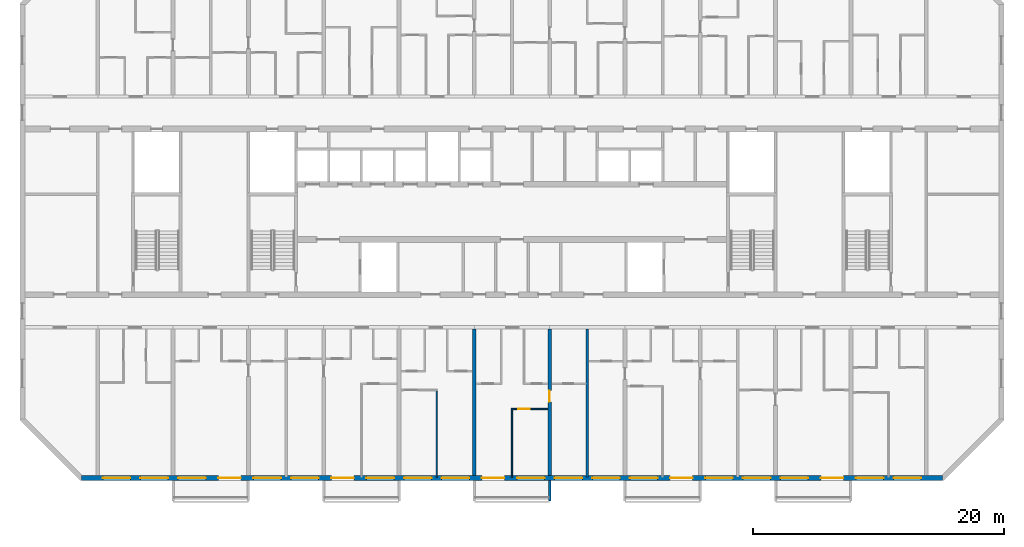
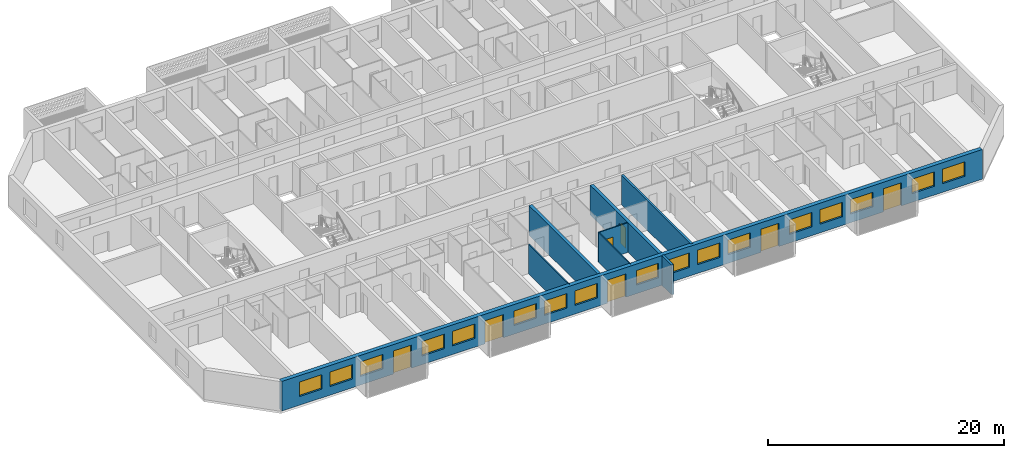
# One storey, part 4 of 33: 17 windows, 8 walls, 7 doors, 24 openings.
"""IFC4 building model written with IfcOpenShell, lengths in metres."""

from ifc_helpers import new_model, si_unit, direction, frame, frame_2d, origin, place, context, subcontext, project, spatial, polyline, rectangle, outline, extrude, source, transform, mapped, material, layer, layer_set, type_object, element, fill, save


model = new_model("IFC4")

# Units and contexts
model_context = context("Model", 3, precision=1e-05, world=origin(), true_north=direction((0.0, 1.0)))
body_context = subcontext(model_context, "Body", "Model", "MODEL_VIEW")
ifc_project = project(units=[si_unit("LENGTHUNIT", "METRE"), si_unit("AREAUNIT", "SQUARE_METRE"), si_unit("VOLUMEUNIT", "CUBIC_METRE"), si_unit("PLANEANGLEUNIT", "RADIAN"), si_unit("MASSUNIT", "GRAM", prefix="KILO")], contexts=[model_context])

# Site, building, storey
site_placement = place(None, origin())
site = spatial("IfcSite", under=ifc_project, at=site_placement, CompositionType="ELEMENT")
building_placement = place(site_placement, origin())
building = spatial("IfcBuilding", under=site, at=building_placement, Name="Poui Terraces", CompositionType="ELEMENT")
storey_placement = place(building_placement, frame((0.0, 0.0, 138.89990234375)))
storey = spatial("IfcBuildingStorey", under=building, at=storey_placement, Name="L38", CompositionType="ELEMENT", Elevation=138.89990234375)

# Wall
ifc_material_1 = material(Name="Concrete 65 MPa", Category="concrete")
ifc_layer_1 = layer(ifc_material_1, 0.300048828125)
ifc_layer_set_1 = layer_set([ifc_layer_1], Name="Concrete 65 MPa")
wall_type_1 = type_object("IfcWallType", Name="CROSS WALL 300 65MPa", PredefinedType="SHEAR", material=ifc_layer_set_1)
wall_1_placement = place(storey_placement, frame((48.0, 0.199951171875, 0.0), z_axis=(0.0, 0.0, 1.0), x_axis=(0.0, 1.0, 0.0)))
element("IfcWall", 1, at=wall_1_placement, inside=storey, type_object=wall_type_1, Name="CROSS WALL LINE 9 SOUTH", PredefinedType="SHEAR", context=body_context, shape_type="SweptSolid", body=[
    extrude(rectangle(XDim=11.675048828125, YDim=0.300048828125, at=frame_2d((5.83740234375, 0.0))), origin(), (0.0, 0.0, 1.0), 3.070068359375),
])

# Wall, opening, door
wall_2_placement = place(storey_placement, frame((54.0, 0.199951171875, 0.0), z_axis=(0.0, 0.0, 1.0), x_axis=(0.0, 1.0, 0.0)))
wall_2 = element("IfcWall", 2, at=wall_2_placement, inside=storey, type_object=wall_type_1, Name="CROSS WALL LINE 10 SOUTH", PredefinedType="SHEAR", context=body_context, shape_type="SweptSolid", body=[
    extrude(rectangle(XDim=11.675048828125, YDim=0.300048828125, at=frame_2d((5.83740234375, 0.0))), origin(), (0.0, 0.0, 1.0), 3.070068359375),
])
opening_1_placement = place(wall_2_placement, frame((5.85009765625, 0.0, 0.0)))
opening_1 = element("IfcOpeningElement", 3, at=opening_1_placement, cuts=wall_2, Name="Opening D90", PredefinedType="OPENING", context=body_context, shape_type="SweptSolid", body=[
    extrude(rectangle(XDim=0.89990234375, YDim=2.10009765625, at=frame_2d((0.449951171875, 1.050048828125))), frame((0.0, 0.16015625, 0.0), z_axis=(0.0, -1.0, 0.0), x_axis=(1.0, 0.0, 0.0)), (0.0, 0.0, 1.0), 0.320068359375),
])
ifc_material_2 = material(Name="Solid core timber door", Category="wood")
door_type_1 = type_object("IfcDoorType", Name="INTERNAL DOOR 900 X 2100", OperationType="NOTDEFINED", PredefinedType="DOOR", material=ifc_material_2)
door_1_placement = place(opening_1_placement, frame((0.89990234375, 0.0, 0.0), z_axis=(0.0, 0.0, 1.0), x_axis=(-1.0, 0.0, 0.0)))
door_1 = element("IfcDoor", 4, at=door_1_placement, inside=storey, type_object=door_type_1, Name="INTERNAL DOOR 098", OperationType="SINGLE_SWING_LEFT", OverallHeight=2.10009765625, OverallWidth=0.89990234375, PredefinedType="DOOR", context=body_context, shape_type="SweptSolid", body=[
    extrude(rectangle(XDim=0.89990234375, YDim=2.10009765625, at=frame_2d((0.449951171875, 1.050048828125))), frame((0.0, 0.02490234375, 0.0), z_axis=(0.0, -1.0, 0.0), x_axis=(1.0, 0.0, 0.0)), (0.0, 0.0, 1.0), 0.050048828125),
])
fill(opening_1, door_1)

# Wall, openings, doors, windows
ifc_material_3 = material(Name="Precast concrete 40 MPa", Category="concrete")
ifc_layer_2 = layer(ifc_material_3, 0.39990234375)
ifc_layer_set_2 = layer_set([ifc_layer_2], Name="Precast concrete 40 MPa")
wall_type_2 = type_object("IfcWallType", Name="EXTERNAL WALL 400", PredefinedType="STANDARD", material=ifc_layer_set_2)
wall_3_placement = place(storey_placement, frame((16.682861328125, 0.0, 0.0), z_axis=(0.0, 0.0, 1.0), x_axis=(1.0, 0.0, 0.0)))
wall_3 = element("IfcWall", 5, at=wall_3_placement, inside=storey, type_object=wall_type_2, Name="EXTERNAL WALL S", PredefinedType="STANDARD", context=body_context, shape_type="SweptSolid", body=[
    extrude(rectangle(XDim=68.63427734375, YDim=0.39990234375, at=frame_2d((34.317138671875, 0.0))), origin(), (0.0, 0.0, 1.0), 3.070068359375),
])
opening_2_placement = place(wall_3_placement, frame((1.71728515625, 0.0, 0.89990234375)))
opening_2 = element("IfcOpeningElement", 6, at=opening_2_placement, cuts=wall_3, Name="Opening W1", PredefinedType="OPENING", context=body_context, shape_type="SweptSolid", body=[
    extrude(rectangle(XDim=2.199951171875, YDim=1.5, at=frame_2d((1.10009765625, 0.75))), frame((0.0, 0.2099609375, 0.0), z_axis=(0.0, -1.0, 0.0), x_axis=(1.0, 0.0, 0.0)), (0.0, 0.0, 1.0), 0.419921875),
])
opening_3_placement = place(wall_3_placement, frame((4.71728515625, 0.0, 0.89990234375)))
opening_3 = element("IfcOpeningElement", 7, at=opening_3_placement, cuts=wall_3, Name="Opening W1", PredefinedType="OPENING", context=body_context, shape_type="SweptSolid", body=[
    extrude(rectangle(XDim=2.199951171875, YDim=1.5, at=frame_2d((1.10009765625, 0.75))), frame((0.0, 0.2099609375, 0.0), z_axis=(0.0, -1.0, 0.0), x_axis=(1.0, 0.0, 0.0)), (0.0, 0.0, 1.0), 0.419921875),
])
opening_4_placement = place(wall_3_placement, frame((7.71728515625, 0.0, 0.89990234375)))
opening_4 = element("IfcOpeningElement", 8, at=opening_4_placement, cuts=wall_3, Name="Opening W1", PredefinedType="OPENING", context=body_context, shape_type="SweptSolid", body=[
    extrude(rectangle(XDim=2.199951171875, YDim=1.5, at=frame_2d((1.10009765625, 0.75))), frame((0.0, 0.2099609375, 0.0), z_axis=(0.0, -1.0, 0.0), x_axis=(1.0, 0.0, 0.0)), (0.0, 0.0, 1.0), 0.419921875),
])
opening_5_placement = place(wall_3_placement, frame((10.917236328125, 0.0, 0.0)))
opening_5 = element("IfcOpeningElement", 9, at=opening_5_placement, cuts=wall_3, Name="Opening BD1", PredefinedType="OPENING", context=body_context, shape_type="SweptSolid", body=[
    extrude(rectangle(XDim=1.800048828125, YDim=2.39990234375, at=frame_2d((0.89990234375, 1.199951171875))), frame((0.0, 0.2099609375, 0.0), z_axis=(0.0, -1.0, 0.0), x_axis=(1.0, 0.0, 0.0)), (0.0, 0.0, 1.0), 0.419921875),
])
opening_6_placement = place(wall_3_placement, frame((13.71728515625, 0.0, 0.89990234375)))
opening_6 = element("IfcOpeningElement", 10, at=opening_6_placement, cuts=wall_3, Name="Opening W1", PredefinedType="OPENING", context=body_context, shape_type="SweptSolid", body=[
    extrude(rectangle(XDim=2.199951171875, YDim=1.5, at=frame_2d((1.10009765625, 0.75))), frame((0.0, 0.2099609375, 0.0), z_axis=(0.0, -1.0, 0.0), x_axis=(1.0, 0.0, 0.0)), (0.0, 0.0, 1.0), 0.419921875),
])
opening_7_placement = place(wall_3_placement, frame((16.71728515625, 0.0, 0.89990234375)))
opening_7 = element("IfcOpeningElement", 11, at=opening_7_placement, cuts=wall_3, Name="Opening W1", PredefinedType="OPENING", context=body_context, shape_type="SweptSolid", body=[
    extrude(rectangle(XDim=2.199951171875, YDim=1.5, at=frame_2d((1.10009765625, 0.75))), frame((0.0, 0.2099609375, 0.0), z_axis=(0.0, -1.0, 0.0), x_axis=(1.0, 0.0, 0.0)), (0.0, 0.0, 1.0), 0.419921875),
])
opening_8_placement = place(wall_3_placement, frame((19.917236328125, 0.0, 0.0)))
opening_8 = element("IfcOpeningElement", 12, at=opening_8_placement, cuts=wall_3, Name="Opening BD1", PredefinedType="OPENING", context=body_context, shape_type="SweptSolid", body=[
    extrude(rectangle(XDim=1.800048828125, YDim=2.39990234375, at=frame_2d((0.89990234375, 1.199951171875))), frame((0.0, 0.2099609375, 0.0), z_axis=(0.0, -1.0, 0.0), x_axis=(1.0, 0.0, 0.0)), (0.0, 0.0, 1.0), 0.419921875),
])
opening_9_placement = place(wall_3_placement, frame((22.71728515625, 0.0, 0.89990234375)))
opening_9 = element("IfcOpeningElement", 13, at=opening_9_placement, cuts=wall_3, Name="Opening W1", PredefinedType="OPENING", context=body_context, shape_type="SweptSolid", body=[
    extrude(rectangle(XDim=2.199951171875, YDim=1.5, at=frame_2d((1.10009765625, 0.75))), frame((0.0, 0.2099609375, 0.0), z_axis=(0.0, -1.0, 0.0), x_axis=(1.0, 0.0, 0.0)), (0.0, 0.0, 1.0), 0.419921875),
])
opening_10_placement = place(wall_3_placement, frame((25.71728515625, 0.0, 0.89990234375)))
opening_10 = element("IfcOpeningElement", 14, at=opening_10_placement, cuts=wall_3, Name="Opening W1", PredefinedType="OPENING", context=body_context, shape_type="SweptSolid", body=[
    extrude(rectangle(XDim=2.199951171875, YDim=1.5, at=frame_2d((1.10009765625, 0.75))), frame((0.0, 0.2099609375, 0.0), z_axis=(0.0, -1.0, 0.0), x_axis=(1.0, 0.0, 0.0)), (0.0, 0.0, 1.0), 0.419921875),
])
opening_11_placement = place(wall_3_placement, frame((28.71728515625, 0.0, 0.89990234375)))
opening_11 = element("IfcOpeningElement", 15, at=opening_11_placement, cuts=wall_3, Name="Opening W1", PredefinedType="OPENING", context=body_context, shape_type="SweptSolid", body=[
    extrude(rectangle(XDim=2.199951171875, YDim=1.5, at=frame_2d((1.10009765625, 0.75))), frame((0.0, 0.2099609375, 0.0), z_axis=(0.0, -1.0, 0.0), x_axis=(1.0, 0.0, 0.0)), (0.0, 0.0, 1.0), 0.419921875),
])
opening_12_placement = place(wall_3_placement, frame((31.917236328125, 0.0, 0.0)))
opening_12 = element("IfcOpeningElement", 16, at=opening_12_placement, cuts=wall_3, Name="Opening BD1", PredefinedType="OPENING", context=body_context, shape_type="SweptSolid", body=[
    extrude(rectangle(XDim=1.800048828125, YDim=2.39990234375, at=frame_2d((0.89990234375, 1.199951171875))), frame((0.0, 0.2099609375, 0.0), z_axis=(0.0, -1.0, 0.0), x_axis=(1.0, 0.0, 0.0)), (0.0, 0.0, 1.0), 0.419921875),
])
opening_13_placement = place(wall_3_placement, frame((34.71728515625, 0.0, 0.89990234375)))
opening_13 = element("IfcOpeningElement", 17, at=opening_13_placement, cuts=wall_3, Name="Opening W1", PredefinedType="OPENING", context=body_context, shape_type="SweptSolid", body=[
    extrude(rectangle(XDim=2.199951171875, YDim=1.5, at=frame_2d((1.10009765625, 0.75))), frame((0.0, 0.2099609375, 0.0), z_axis=(0.0, -1.0, 0.0), x_axis=(1.0, 0.0, 0.0)), (0.0, 0.0, 1.0), 0.419921875),
])
opening_14_placement = place(wall_3_placement, frame((37.71728515625, 0.0, 0.89990234375)))
opening_14 = element("IfcOpeningElement", 18, at=opening_14_placement, cuts=wall_3, Name="Opening W1", PredefinedType="OPENING", context=body_context, shape_type="SweptSolid", body=[
    extrude(rectangle(XDim=2.199951171875, YDim=1.5, at=frame_2d((1.10009765625, 0.75))), frame((0.0, 0.2099609375, 0.0), z_axis=(0.0, -1.0, 0.0), x_axis=(1.0, 0.0, 0.0)), (0.0, 0.0, 1.0), 0.419921875),
])
opening_15_placement = place(wall_3_placement, frame((40.71728515625, 0.0, 0.89990234375)))
opening_15 = element("IfcOpeningElement", 19, at=opening_15_placement, cuts=wall_3, Name="Opening W1", PredefinedType="OPENING", context=body_context, shape_type="SweptSolid", body=[
    extrude(rectangle(XDim=2.199951171875, YDim=1.5, at=frame_2d((1.10009765625, 0.75))), frame((0.0, 0.2099609375, 0.0), z_axis=(0.0, -1.0, 0.0), x_axis=(1.0, 0.0, 0.0)), (0.0, 0.0, 1.0), 0.419921875),
])
opening_16_placement = place(wall_3_placement, frame((43.71728515625, 0.0, 0.89990234375)))
opening_16 = element("IfcOpeningElement", 20, at=opening_16_placement, cuts=wall_3, Name="Opening W1", PredefinedType="OPENING", context=body_context, shape_type="SweptSolid", body=[
    extrude(rectangle(XDim=2.199951171875, YDim=1.5, at=frame_2d((1.10009765625, 0.75))), frame((0.0, 0.2099609375, 0.0), z_axis=(0.0, -1.0, 0.0), x_axis=(1.0, 0.0, 0.0)), (0.0, 0.0, 1.0), 0.419921875),
])
opening_17_placement = place(wall_3_placement, frame((46.917236328125, 0.0, 0.0)))
opening_17 = element("IfcOpeningElement", 21, at=opening_17_placement, cuts=wall_3, Name="Opening BD1", PredefinedType="OPENING", context=body_context, shape_type="SweptSolid", body=[
    extrude(rectangle(XDim=1.800048828125, YDim=2.39990234375, at=frame_2d((0.89990234375, 1.199951171875))), frame((0.0, 0.2099609375, 0.0), z_axis=(0.0, -1.0, 0.0), x_axis=(1.0, 0.0, 0.0)), (0.0, 0.0, 1.0), 0.419921875),
])
opening_18_placement = place(wall_3_placement, frame((49.71728515625, 0.0, 0.89990234375)))
opening_18 = element("IfcOpeningElement", 22, at=opening_18_placement, cuts=wall_3, Name="Opening W1", PredefinedType="OPENING", context=body_context, shape_type="SweptSolid", body=[
    extrude(rectangle(XDim=2.199951171875, YDim=1.5, at=frame_2d((1.10009765625, 0.75))), frame((0.0, 0.2099609375, 0.0), z_axis=(0.0, -1.0, 0.0), x_axis=(1.0, 0.0, 0.0)), (0.0, 0.0, 1.0), 0.419921875),
])
opening_19_placement = place(wall_3_placement, frame((52.71728515625, 0.0, 0.89990234375)))
opening_19 = element("IfcOpeningElement", 23, at=opening_19_placement, cuts=wall_3, Name="Opening W1", PredefinedType="OPENING", context=body_context, shape_type="SweptSolid", body=[
    extrude(rectangle(XDim=2.199951171875, YDim=1.5, at=frame_2d((1.10009765625, 0.75))), frame((0.0, 0.2099609375, 0.0), z_axis=(0.0, -1.0, 0.0), x_axis=(1.0, 0.0, 0.0)), (0.0, 0.0, 1.0), 0.419921875),
])
opening_20_placement = place(wall_3_placement, frame((55.71728515625, 0.0, 0.89990234375)))
opening_20 = element("IfcOpeningElement", 24, at=opening_20_placement, cuts=wall_3, Name="Opening W1", PredefinedType="OPENING", context=body_context, shape_type="SweptSolid", body=[
    extrude(rectangle(XDim=2.199951171875, YDim=1.5, at=frame_2d((1.10009765625, 0.75))), frame((0.0, 0.2099609375, 0.0), z_axis=(0.0, -1.0, 0.0), x_axis=(1.0, 0.0, 0.0)), (0.0, 0.0, 1.0), 0.419921875),
])
opening_21_placement = place(wall_3_placement, frame((58.917236328125, 0.0, 0.0)))
opening_21 = element("IfcOpeningElement", 25, at=opening_21_placement, cuts=wall_3, Name="Opening BD1", PredefinedType="OPENING", context=body_context, shape_type="SweptSolid", body=[
    extrude(rectangle(XDim=1.800048828125, YDim=2.39990234375, at=frame_2d((0.89990234375, 1.199951171875))), frame((0.0, 0.2099609375, 0.0), z_axis=(0.0, -1.0, 0.0), x_axis=(1.0, 0.0, 0.0)), (0.0, 0.0, 1.0), 0.419921875),
])
opening_22_placement = place(wall_3_placement, frame((61.71728515625, 0.0, 0.89990234375)))
opening_22 = element("IfcOpeningElement", 26, at=opening_22_placement, cuts=wall_3, Name="Opening W1", PredefinedType="OPENING", context=body_context, shape_type="SweptSolid", body=[
    extrude(rectangle(XDim=2.199951171875, YDim=1.5, at=frame_2d((1.10009765625, 0.75))), frame((0.0, 0.2099609375, 0.0), z_axis=(0.0, -1.0, 0.0), x_axis=(1.0, 0.0, 0.0)), (0.0, 0.0, 1.0), 0.419921875),
])
opening_23_placement = place(wall_3_placement, frame((64.71728515625, 0.0, 0.89990234375)))
opening_23 = element("IfcOpeningElement", 27, at=opening_23_placement, cuts=wall_3, Name="Opening W1", PredefinedType="OPENING", context=body_context, shape_type="SweptSolid", body=[
    extrude(rectangle(XDim=2.199951171875, YDim=1.5, at=frame_2d((1.10009765625, 0.75))), frame((0.0, 0.2099609375, 0.0), z_axis=(0.0, -1.0, 0.0), x_axis=(1.0, 0.0, 0.0)), (0.0, 0.0, 1.0), 0.419921875),
])
ifc_material_4 = material(Name="Clear glass in aluminium frame", Category="aluminium")
door_type_2 = type_object("IfcDoorType", Name="BALCONY DOOR 1800X2400", OperationType="DOUBLE_DOOR_SLIDING", PredefinedType="DOOR", material=ifc_material_4)
door_2_placement = place(opening_5_placement, origin())
door_2 = element("IfcDoor", 28, at=door_2_placement, inside=storey, type_object=door_type_2, Name="BD1 BALCONY DOOR", OperationType="DOUBLE_DOOR_SLIDING", OverallHeight=2.39990234375, OverallWidth=1.800048828125, PredefinedType="DOOR", context=body_context, shape_type="SweptSolid", body=[
    extrude(rectangle(XDim=1.800048828125, YDim=2.39990234375, at=frame_2d((0.89990234375, 1.199951171875))), frame((0.0, 0.02490234375, 0.0), z_axis=(0.0, -1.0, 0.0), x_axis=(1.0, 0.0, 0.0)), (0.0, 0.0, 1.0), 0.050048828125),
])
fill(opening_5, door_2)
door_3_placement = place(opening_8_placement, origin())
door_3 = element("IfcDoor", 29, at=door_3_placement, inside=storey, type_object=door_type_2, Name="BD1 BALCONY DOOR", OperationType="DOUBLE_DOOR_SLIDING", OverallHeight=2.39990234375, OverallWidth=1.800048828125, PredefinedType="DOOR", context=body_context, shape_type="SweptSolid", body=[
    extrude(rectangle(XDim=1.800048828125, YDim=2.39990234375, at=frame_2d((0.89990234375, 1.199951171875))), frame((0.0, 0.02490234375, 0.0), z_axis=(0.0, -1.0, 0.0), x_axis=(1.0, 0.0, 0.0)), (0.0, 0.0, 1.0), 0.050048828125),
])
fill(opening_8, door_3)
door_4_placement = place(opening_12_placement, origin())
door_4 = element("IfcDoor", 30, at=door_4_placement, inside=storey, type_object=door_type_2, Name="BD1 BALCONY DOOR", OperationType="DOUBLE_DOOR_SLIDING", OverallHeight=2.39990234375, OverallWidth=1.800048828125, PredefinedType="DOOR", context=body_context, shape_type="SweptSolid", body=[
    extrude(rectangle(XDim=1.800048828125, YDim=2.39990234375, at=frame_2d((0.89990234375, 1.199951171875))), frame((0.0, 0.02490234375, 0.0), z_axis=(0.0, -1.0, 0.0), x_axis=(1.0, 0.0, 0.0)), (0.0, 0.0, 1.0), 0.050048828125),
])
fill(opening_12, door_4)
door_5_placement = place(opening_17_placement, origin())
door_5 = element("IfcDoor", 31, at=door_5_placement, inside=storey, type_object=door_type_2, Name="BD1 BALCONY DOOR", OperationType="DOUBLE_DOOR_SLIDING", OverallHeight=2.39990234375, OverallWidth=1.800048828125, PredefinedType="DOOR", context=body_context, shape_type="SweptSolid", body=[
    extrude(rectangle(XDim=1.800048828125, YDim=2.39990234375, at=frame_2d((0.89990234375, 1.199951171875))), frame((0.0, 0.02490234375, 0.0), z_axis=(0.0, -1.0, 0.0), x_axis=(1.0, 0.0, 0.0)), (0.0, 0.0, 1.0), 0.050048828125),
])
fill(opening_17, door_5)
door_6_placement = place(opening_21_placement, origin())
door_6 = element("IfcDoor", 32, at=door_6_placement, inside=storey, type_object=door_type_2, Name="BD1 BALCONY DOOR", OperationType="DOUBLE_DOOR_SLIDING", OverallHeight=2.39990234375, OverallWidth=1.800048828125, PredefinedType="DOOR", context=body_context, shape_type="SweptSolid", body=[
    extrude(rectangle(XDim=1.800048828125, YDim=2.39990234375, at=frame_2d((0.89990234375, 1.199951171875))), frame((0.0, 0.02490234375, 0.0), z_axis=(0.0, -1.0, 0.0), x_axis=(1.0, 0.0, 0.0)), (0.0, 0.0, 1.0), 0.050048828125),
])
fill(opening_21, door_6)
window_type = type_object("IfcWindowType", Name="WINDOW 2200X1500", PartitioningType="DOUBLE_PANEL_HORIZONTAL", PredefinedType="WINDOW", material=ifc_material_4)
window_1_placement = place(opening_2_placement, origin())
window_1 = element("IfcWindow", 33, at=window_1_placement, inside=storey, type_object=window_type, Name="W1 WINDOW", OverallHeight=1.5, OverallWidth=2.199951171875, PartitioningType="DOUBLE_PANEL_HORIZONTAL", PredefinedType="WINDOW", context=body_context, shape_type="SweptSolid", body=[
    extrude(rectangle(XDim=2.199951171875, YDim=1.5, at=frame_2d((1.10009765625, 0.75))), frame((0.0, 0.030029296875, 0.0), z_axis=(0.0, -1.0, 0.0), x_axis=(1.0, 0.0, 0.0)), (0.0, 0.0, 1.0), 0.06005859375),
])
fill(opening_2, window_1)
window_2_placement = place(opening_3_placement, origin())
window_2 = element("IfcWindow", 34, at=window_2_placement, inside=storey, type_object=window_type, Name="W1 WINDOW", OverallHeight=1.5, OverallWidth=2.199951171875, PartitioningType="DOUBLE_PANEL_HORIZONTAL", PredefinedType="WINDOW", context=body_context, shape_type="SweptSolid", body=[
    extrude(rectangle(XDim=2.199951171875, YDim=1.5, at=frame_2d((1.10009765625, 0.75))), frame((0.0, 0.030029296875, 0.0), z_axis=(0.0, -1.0, 0.0), x_axis=(1.0, 0.0, 0.0)), (0.0, 0.0, 1.0), 0.06005859375),
])
fill(opening_3, window_2)
window_3_placement = place(opening_4_placement, origin())
window_3 = element("IfcWindow", 35, at=window_3_placement, inside=storey, type_object=window_type, Name="W1 WINDOW", OverallHeight=1.5, OverallWidth=2.199951171875, PartitioningType="DOUBLE_PANEL_HORIZONTAL", PredefinedType="WINDOW", context=body_context, shape_type="SweptSolid", body=[
    extrude(rectangle(XDim=2.199951171875, YDim=1.5, at=frame_2d((1.10009765625, 0.75))), frame((0.0, 0.030029296875, 0.0), z_axis=(0.0, -1.0, 0.0), x_axis=(1.0, 0.0, 0.0)), (0.0, 0.0, 1.0), 0.06005859375),
])
fill(opening_4, window_3)
window_4_placement = place(opening_6_placement, origin())
window_4 = element("IfcWindow", 36, at=window_4_placement, inside=storey, type_object=window_type, Name="W1 WINDOW", OverallHeight=1.5, OverallWidth=2.199951171875, PartitioningType="DOUBLE_PANEL_HORIZONTAL", PredefinedType="WINDOW", context=body_context, shape_type="SweptSolid", body=[
    extrude(rectangle(XDim=2.199951171875, YDim=1.5, at=frame_2d((1.10009765625, 0.75))), frame((0.0, 0.030029296875, 0.0), z_axis=(0.0, -1.0, 0.0), x_axis=(1.0, 0.0, 0.0)), (0.0, 0.0, 1.0), 0.06005859375),
])
fill(opening_6, window_4)
window_5_placement = place(opening_7_placement, origin())
window_5 = element("IfcWindow", 37, at=window_5_placement, inside=storey, type_object=window_type, Name="W1 WINDOW", OverallHeight=1.5, OverallWidth=2.199951171875, PartitioningType="DOUBLE_PANEL_HORIZONTAL", PredefinedType="WINDOW", context=body_context, shape_type="SweptSolid", body=[
    extrude(rectangle(XDim=2.199951171875, YDim=1.5, at=frame_2d((1.10009765625, 0.75))), frame((0.0, 0.030029296875, 0.0), z_axis=(0.0, -1.0, 0.0), x_axis=(1.0, 0.0, 0.0)), (0.0, 0.0, 1.0), 0.06005859375),
])
fill(opening_7, window_5)
window_6_placement = place(opening_9_placement, origin())
window_6 = element("IfcWindow", 38, at=window_6_placement, inside=storey, type_object=window_type, Name="W1 WINDOW", OverallHeight=1.5, OverallWidth=2.199951171875, PartitioningType="DOUBLE_PANEL_HORIZONTAL", PredefinedType="WINDOW", context=body_context, shape_type="SweptSolid", body=[
    extrude(rectangle(XDim=2.199951171875, YDim=1.5, at=frame_2d((1.10009765625, 0.75))), frame((0.0, 0.030029296875, 0.0), z_axis=(0.0, -1.0, 0.0), x_axis=(1.0, 0.0, 0.0)), (0.0, 0.0, 1.0), 0.06005859375),
])
fill(opening_9, window_6)
window_7_placement = place(opening_10_placement, origin())
window_7 = element("IfcWindow", 39, at=window_7_placement, inside=storey, type_object=window_type, Name="W1 WINDOW", OverallHeight=1.5, OverallWidth=2.199951171875, PartitioningType="DOUBLE_PANEL_HORIZONTAL", PredefinedType="WINDOW", context=body_context, shape_type="SweptSolid", body=[
    extrude(rectangle(XDim=2.199951171875, YDim=1.5, at=frame_2d((1.10009765625, 0.75))), frame((0.0, 0.030029296875, 0.0), z_axis=(0.0, -1.0, 0.0), x_axis=(1.0, 0.0, 0.0)), (0.0, 0.0, 1.0), 0.06005859375),
])
fill(opening_10, window_7)
window_8_placement = place(opening_11_placement, origin())
window_8 = element("IfcWindow", 40, at=window_8_placement, inside=storey, type_object=window_type, Name="W1 WINDOW", OverallHeight=1.5, OverallWidth=2.199951171875, PartitioningType="DOUBLE_PANEL_HORIZONTAL", PredefinedType="WINDOW", context=body_context, shape_type="SweptSolid", body=[
    extrude(rectangle(XDim=2.199951171875, YDim=1.5, at=frame_2d((1.10009765625, 0.75))), frame((0.0, 0.030029296875, 0.0), z_axis=(0.0, -1.0, 0.0), x_axis=(1.0, 0.0, 0.0)), (0.0, 0.0, 1.0), 0.06005859375),
])
fill(opening_11, window_8)
window_9_placement = place(opening_13_placement, origin())
window_9 = element("IfcWindow", 41, at=window_9_placement, inside=storey, type_object=window_type, Name="W1 WINDOW", OverallHeight=1.5, OverallWidth=2.199951171875, PartitioningType="DOUBLE_PANEL_HORIZONTAL", PredefinedType="WINDOW", context=body_context, shape_type="SweptSolid", body=[
    extrude(rectangle(XDim=2.199951171875, YDim=1.5, at=frame_2d((1.10009765625, 0.75))), frame((0.0, 0.030029296875, 0.0), z_axis=(0.0, -1.0, 0.0), x_axis=(1.0, 0.0, 0.0)), (0.0, 0.0, 1.0), 0.06005859375),
])
fill(opening_13, window_9)
window_10_placement = place(opening_14_placement, origin())
window_10 = element("IfcWindow", 42, at=window_10_placement, inside=storey, type_object=window_type, Name="W1 WINDOW", OverallHeight=1.5, OverallWidth=2.199951171875, PartitioningType="DOUBLE_PANEL_HORIZONTAL", PredefinedType="WINDOW", context=body_context, shape_type="SweptSolid", body=[
    extrude(rectangle(XDim=2.199951171875, YDim=1.5, at=frame_2d((1.10009765625, 0.75))), frame((0.0, 0.030029296875, 0.0), z_axis=(0.0, -1.0, 0.0), x_axis=(1.0, 0.0, 0.0)), (0.0, 0.0, 1.0), 0.06005859375),
])
fill(opening_14, window_10)
window_11_placement = place(opening_15_placement, origin())
window_11 = element("IfcWindow", 43, at=window_11_placement, inside=storey, type_object=window_type, Name="W1 WINDOW", OverallHeight=1.5, OverallWidth=2.199951171875, PartitioningType="DOUBLE_PANEL_HORIZONTAL", PredefinedType="WINDOW", context=body_context, shape_type="SweptSolid", body=[
    extrude(rectangle(XDim=2.199951171875, YDim=1.5, at=frame_2d((1.10009765625, 0.75))), frame((0.0, 0.030029296875, 0.0), z_axis=(0.0, -1.0, 0.0), x_axis=(1.0, 0.0, 0.0)), (0.0, 0.0, 1.0), 0.06005859375),
])
fill(opening_15, window_11)
window_12_placement = place(opening_16_placement, origin())
window_12 = element("IfcWindow", 44, at=window_12_placement, inside=storey, type_object=window_type, Name="W1 WINDOW", OverallHeight=1.5, OverallWidth=2.199951171875, PartitioningType="DOUBLE_PANEL_HORIZONTAL", PredefinedType="WINDOW", context=body_context, shape_type="SweptSolid", body=[
    extrude(rectangle(XDim=2.199951171875, YDim=1.5, at=frame_2d((1.10009765625, 0.75))), frame((0.0, 0.030029296875, 0.0), z_axis=(0.0, -1.0, 0.0), x_axis=(1.0, 0.0, 0.0)), (0.0, 0.0, 1.0), 0.06005859375),
])
fill(opening_16, window_12)
window_13_placement = place(opening_18_placement, origin())
window_13 = element("IfcWindow", 45, at=window_13_placement, inside=storey, type_object=window_type, Name="W1 WINDOW", OverallHeight=1.5, OverallWidth=2.199951171875, PartitioningType="DOUBLE_PANEL_HORIZONTAL", PredefinedType="WINDOW", context=body_context, shape_type="SweptSolid", body=[
    extrude(rectangle(XDim=2.199951171875, YDim=1.5, at=frame_2d((1.10009765625, 0.75))), frame((0.0, 0.030029296875, 0.0), z_axis=(0.0, -1.0, 0.0), x_axis=(1.0, 0.0, 0.0)), (0.0, 0.0, 1.0), 0.06005859375),
])
fill(opening_18, window_13)
window_14_placement = place(opening_19_placement, origin())
window_14 = element("IfcWindow", 46, at=window_14_placement, inside=storey, type_object=window_type, Name="W1 WINDOW", OverallHeight=1.5, OverallWidth=2.199951171875, PartitioningType="DOUBLE_PANEL_HORIZONTAL", PredefinedType="WINDOW", context=body_context, shape_type="SweptSolid", body=[
    extrude(rectangle(XDim=2.199951171875, YDim=1.5, at=frame_2d((1.10009765625, 0.75))), frame((0.0, 0.030029296875, 0.0), z_axis=(0.0, -1.0, 0.0), x_axis=(1.0, 0.0, 0.0)), (0.0, 0.0, 1.0), 0.06005859375),
])
fill(opening_19, window_14)
window_15_placement = place(opening_20_placement, origin())
window_15 = element("IfcWindow", 47, at=window_15_placement, inside=storey, type_object=window_type, Name="W1 WINDOW", OverallHeight=1.5, OverallWidth=2.199951171875, PartitioningType="DOUBLE_PANEL_HORIZONTAL", PredefinedType="WINDOW", context=body_context, shape_type="SweptSolid", body=[
    extrude(rectangle(XDim=2.199951171875, YDim=1.5, at=frame_2d((1.10009765625, 0.75))), frame((0.0, 0.030029296875, 0.0), z_axis=(0.0, -1.0, 0.0), x_axis=(1.0, 0.0, 0.0)), (0.0, 0.0, 1.0), 0.06005859375),
])
fill(opening_20, window_15)
window_16_placement = place(opening_22_placement, origin())
window_16 = element("IfcWindow", 48, at=window_16_placement, inside=storey, type_object=window_type, Name="W1 WINDOW", OverallHeight=1.5, OverallWidth=2.199951171875, PartitioningType="DOUBLE_PANEL_HORIZONTAL", PredefinedType="WINDOW", context=body_context, shape_type="SweptSolid", body=[
    extrude(rectangle(XDim=2.199951171875, YDim=1.5, at=frame_2d((1.10009765625, 0.75))), frame((0.0, 0.030029296875, 0.0), z_axis=(0.0, -1.0, 0.0), x_axis=(1.0, 0.0, 0.0)), (0.0, 0.0, 1.0), 0.06005859375),
])
fill(opening_22, window_16)
window_17_placement = place(opening_23_placement, origin())
window_17 = element("IfcWindow", 49, at=window_17_placement, inside=storey, type_object=window_type, Name="W1 WINDOW", OverallHeight=1.5, OverallWidth=2.199951171875, PartitioningType="DOUBLE_PANEL_HORIZONTAL", PredefinedType="WINDOW", context=body_context, shape_type="SweptSolid", body=[
    extrude(rectangle(XDim=2.199951171875, YDim=1.5, at=frame_2d((1.10009765625, 0.75))), frame((0.0, 0.030029296875, 0.0), z_axis=(0.0, -1.0, 0.0), x_axis=(1.0, 0.0, 0.0)), (0.0, 0.0, 1.0), 0.06005859375),
])
fill(opening_23, window_17)

# Wall, opening, door
ifc_material_5 = material(Name="Plasterboard partition")
ifc_layer_3 = layer(ifc_material_5, 0.10009765625)
ifc_layer_set_3 = layer_set([ifc_layer_3], Name="Plasterboard partition")
wall_type_3 = type_object("IfcWallType", Name="FLAT PARTITION 100", PredefinedType="PARTITIONING", material=ifc_layer_set_3)
wall_4_placement = place(storey_placement, frame((50.949951171875, 5.5, 0.0), z_axis=(0.0, 0.0, 1.0), x_axis=(1.0, 0.0, 0.0)))
wall_4 = element("IfcWall", 50, at=wall_4_placement, inside=storey, type_object=wall_type_3, Name="FLAT PARTITION 100", PredefinedType="PARTITIONING", context=body_context, shape_type="SweptSolid", body=[
    extrude(rectangle(XDim=2.89013671875, YDim=0.10009765625, at=frame_2d((1.445068359375, 0.0))), origin(), (0.0, 0.0, 1.0), 3.070068359375),
])
opening_24_placement = place(wall_4_placement, frame((0.550048828125, 0.0, 0.0)))
opening_24 = element("IfcOpeningElement", 51, at=opening_24_placement, cuts=wall_4, Name="Opening D90", PredefinedType="OPENING", context=body_context, shape_type="SweptSolid", body=[
    extrude(rectangle(XDim=0.89990234375, YDim=2.10009765625, at=frame_2d((0.449951171875, 1.050048828125))), frame((0.0, 0.06005859375, 0.0), z_axis=(0.0, -1.0, 0.0), x_axis=(1.0, 0.0, 0.0)), (0.0, 0.0, 1.0), 0.1201171875),
])
door_7_placement = place(opening_24_placement, frame((0.89990234375, 0.0, 0.0), z_axis=(0.0, 0.0, 1.0), x_axis=(-1.0, 0.0, 0.0)))
door_7 = element("IfcDoor", 52, at=door_7_placement, inside=storey, type_object=door_type_1, Name="INTERNAL DOOR 096", OperationType="SINGLE_SWING_RIGHT", OverallHeight=2.10009765625, OverallWidth=0.89990234375, PredefinedType="DOOR", context=body_context, shape_type="SweptSolid", body=[
    extrude(rectangle(XDim=0.89990234375, YDim=2.10009765625, at=frame_2d((0.449951171875, 1.050048828125))), frame((0.0, 0.02490234375, 0.0), z_axis=(0.0, -1.0, 0.0), x_axis=(1.0, 0.0, 0.0)), (0.0, 0.0, 1.0), 0.050048828125),
])
fill(opening_24, door_7)

# Walls
wall_5_placement = place(storey_placement, frame((45.0, 0.06005859375, 0.0), z_axis=(0.0, 0.0, 1.0), x_axis=(0.0, 1.0, 0.0)))
element("IfcWall", 53, at=wall_5_placement, inside=storey, type_object=wall_type_3, Name="FLAT PARTITION 100", PredefinedType="PARTITIONING", context=body_context, shape_type="SweptSolid", body=[
    extrude(rectangle(XDim=6.889892578125, YDim=0.10009765625, at=frame_2d((3.44482421875, 0.0))), origin(), (0.0, 0.0, 1.0), 3.070068359375),
])
wall_6_placement = place(storey_placement, frame((51.0, 0.06005859375, 0.0), z_axis=(0.0, 0.0, 1.0), x_axis=(0.0, 1.0, 0.0)))
element("IfcWall", 54, at=wall_6_placement, inside=storey, type_object=wall_type_3, Name="FLAT PARTITION 100", PredefinedType="PARTITIONING", context=body_context, shape_type="SweptSolid", body=[
    extrude(rectangle(XDim=5.389892578125, YDim=0.10009765625, at=frame_2d((2.69482421875, 0.0))), origin(), (0.0, 0.0, 1.0), 3.070068359375),
])
ifc_material_6 = material(Name="Fire-rated masonry wall", Category="masonry")
ifc_layer_4 = layer(ifc_material_6, 0.199951171875)
ifc_layer_set_4 = layer_set([ifc_layer_4], Name="Fire-rated masonry wall")
wall_type_4 = type_object("IfcWallType", Name="FLAT PARTY WALL 200", PredefinedType="PARTITIONING", material=ifc_layer_set_4)
wall_7_placement = place(storey_placement, frame((57.0, 0.06005859375, 0.0), z_axis=(0.0, 0.0, 1.0), x_axis=(0.0, 1.0, 0.0)))
element("IfcWall", 55, at=wall_7_placement, inside=storey, type_object=wall_type_4, Name="FLAT PARTY WALL 200", PredefinedType="PARTITIONING", context=body_context, shape_type="SweptSolid", body=[
    extrude(rectangle(XDim=11.804931640625, YDim=0.199951171875, at=frame_2d((5.90234375, 0.0))), origin(), (0.0, 0.0, 1.0), 3.070068359375),
])
ifc_layer_5 = layer(ifc_material_3, 0.199951171875)
ifc_layer_set_5 = layer_set([ifc_layer_5], Name="Precast concrete 40 MPa")
wall_type_5 = type_object("IfcWallType", Name="REAR FIN 200", PredefinedType="STANDARD", material=ifc_layer_set_5)
shared_shape = source(origin(), body_context, "Body", "SweptSolid", [
    extrude(outline(polyline([(0.0, 0.0), (0.2001953125, 0.0), (0.2001953125, 1.650146484375), (0.0, 1.650146484375), (0.0, 0.0)])), origin(), (0.0, 0.0, 1.0), 3.10009765625),
])
wall_8_placement = place(storey_placement, frame((53.89990234375, -1.85009765625, 0.0)))
element("IfcWall", 56, at=wall_8_placement, inside=storey, type_object=wall_type_5, Name="REAR FIN", PredefinedType="STANDARD", context=body_context, shape_type="MappedRepresentation", body=[
    mapped(shared_shape, transform((0.0, 0.0, 0.0))),
])

save(model, "model.ifc")
